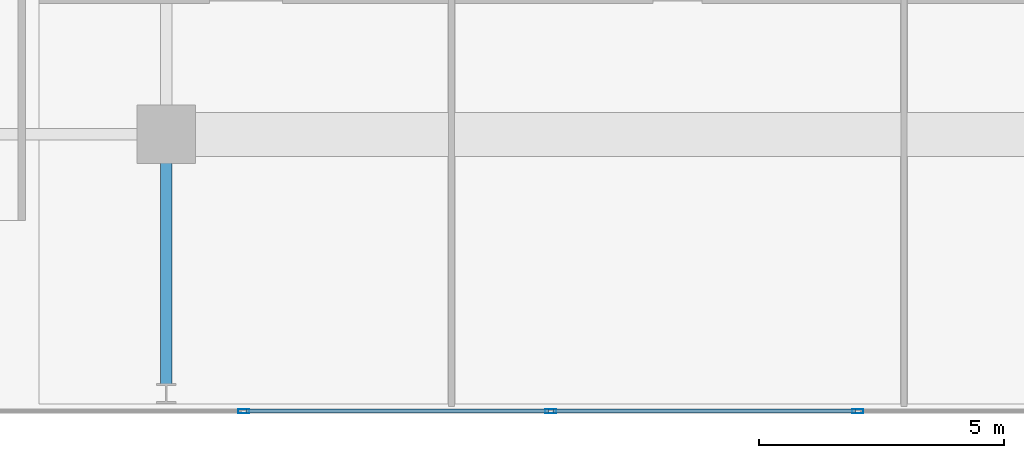
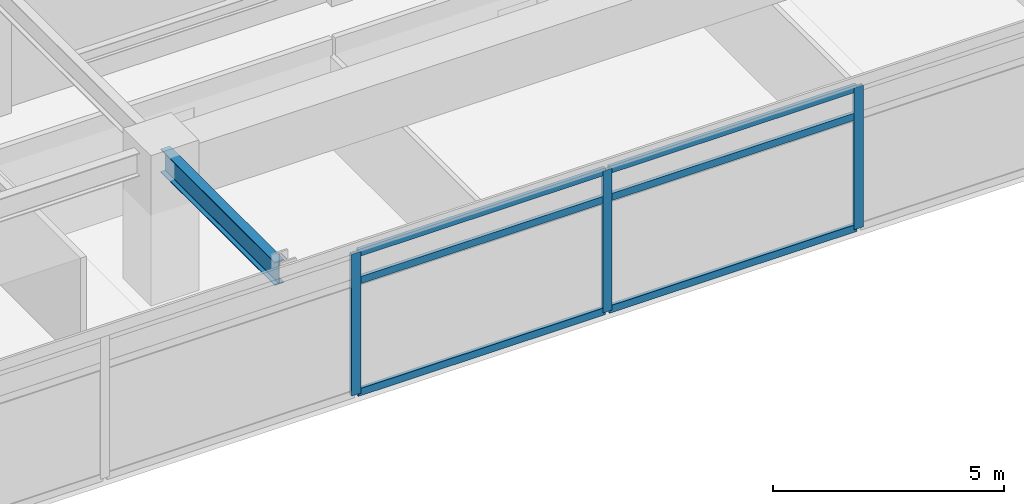
# One storey, part 4 of 21: 9 members, 1 beam, 1 element without a shape of its own.
"""IFC4 building model written with IfcOpenShell, lengths in metres."""

import ifcopenshell
import ifcopenshell.guid

model = None  # the IFC model being written
_history = None  # IfcOwnerHistory: only IFC2X3 demands one
_inside = {}  # id of a spatial element -> (the spatial element, [elements in it])
_under = {}  # id of a project, library or spatial element -> (it, [spatial elements below it])
_declared = {}  # id of a project -> (the project, [libraries it declares])
_typed = {}  # id of a type object -> (the type object, [elements of that type])
_made_of = {}  # id of a material, layer set ... -> (it, [elements and type objects made of it])


def new_model(schema):
    """Start an empty IFC model of exactly this schema.

    Asked for "IFC4X3", IfcOpenShell would pick the latest addendum, in which some entities
    have other attributes; the version numbers below select the first issue.
    IFC2X3 requires an IfcOwnerHistory on every rooted entity: one is made here for all.
    """
    global model, _history
    if schema == "IFC4X3":
        model = ifcopenshell.file(schema_version=(4, 3, 0, 0))
    else:
        model = ifcopenshell.file(schema=schema)
    _inside.clear()
    _under.clear()
    _declared.clear()
    _typed.clear()
    _made_of.clear()
    _history = None
    if model.schema == "IFC2X3":
        org = make("IfcOrganization", Name="unknown")
        user = make(
            "IfcPersonAndOrganization",
            ThePerson=make("IfcPerson", FamilyName="unknown"),
            TheOrganization=org,
        )
        app = make(
            "IfcApplication",
            ApplicationDeveloper=org,
            Version="unknown",
            ApplicationFullName="unknown",
            ApplicationIdentifier="unknown",
        )
        _history = make(
            "IfcOwnerHistory",
            OwningUser=user,
            OwningApplication=app,
            ChangeAction="ADDED",
            CreationDate=0,
        )
    return model


def make(cls, **values):
    """One entity of the class cls with the attributes given. An attribute that is None is left unset."""
    return model.create_entity(
        cls, **{name: value for name, value in values.items() if value is not None}
    )


def rooted(cls, **values):
    """An entity with a GlobalId (a new one), such as an element, a storey or a relation."""
    return make(cls, GlobalId=ifcopenshell.guid.new(), OwnerHistory=_history, **values)


def si_unit(unit_type, name, prefix=None):
    """IfcSIUnit, for example si_unit("LENGTHUNIT", "METRE", prefix="MILLI")."""
    return make("IfcSIUnit", UnitType=unit_type, Prefix=prefix, Name=name)


def assignment(units):
    """IfcUnitAssignment: the units of a project."""
    return None if units is None else make("IfcUnitAssignment", Units=units)


def point(xyz):
    """IfcCartesianPoint."""
    return None if xyz is None else make("IfcCartesianPoint", Coordinates=xyz)


def direction(xyz):
    """IfcDirection."""
    return None if xyz is None else make("IfcDirection", DirectionRatios=xyz)


def frame(location, z_axis=None, x_axis=None):
    """IfcAxis2Placement3D, a coordinate frame: its origin and axes. An axis left out is left unset."""
    return make(
        "IfcAxis2Placement3D",
        Location=point(location),
        Axis=direction(z_axis),
        RefDirection=direction(x_axis),
    )


def frame_2d(location, x_axis=None):
    """IfcAxis2Placement2D, a coordinate frame in the plane: its origin and x axis."""
    return make(
        "IfcAxis2Placement2D", Location=point(location), RefDirection=direction(x_axis)
    )


def origin():
    """The frame at (0, 0, 0) with its axes left unset."""
    return frame((0.0, 0.0, 0.0))


def origin_2d():
    """The frame at (0, 0) in the plane with its x axis left unset."""
    return frame_2d((0.0, 0.0))


def place(relative_to, where):
    """IfcLocalPlacement: puts the frame where relative to a parent placement (None: the world)."""
    return make(
        "IfcLocalPlacement", PlacementRelTo=relative_to, RelativePlacement=where
    )


def context(
    kind, dimensions, precision=None, world=None, true_north=None, identifier=None
):
    """IfcGeometricRepresentationContext, for example the 3D "Model" context."""
    return make(
        "IfcGeometricRepresentationContext",
        ContextIdentifier=identifier,
        ContextType=kind,
        CoordinateSpaceDimension=dimensions,
        Precision=precision,
        WorldCoordinateSystem=world,
        TrueNorth=true_north,
    )


def subcontext(parent, identifier, kind, view, scale=None):
    """IfcGeometricRepresentationSubContext, for example "Body" below "Model"."""
    return make(
        "IfcGeometricRepresentationSubContext",
        ContextIdentifier=identifier,
        ContextType=kind,
        ParentContext=parent,
        TargetScale=scale,
        TargetView=view,
    )


def project(units=None, contexts=None):
    """IfcProject with its units and contexts."""
    return rooted(
        "IfcProject",
        Name="project",
        RepresentationContexts=contexts,
        UnitsInContext=assignment(units),
    )


def spatial(cls, under=None, at=None, **own):
    """A site, building, storey or space (cls), placed at a placement, below another one or the project."""
    s = rooted(cls, ObjectPlacement=at, **own)
    if under is not None:
        _under.setdefault(under.id(), (under, []))[1].append(s)
    return s


def profile(cls, at=None, kind="AREA", **sizes):
    """A parametric profile (cls). Its sizes go by their IFC names, for example OverallWidth=200.0."""
    return make(cls, ProfileType=kind, Position=at, **sizes)


def hollow_rectangle(**sizes):
    """IfcRectangleHollowProfileDef."""
    return profile("IfcRectangleHollowProfileDef", **sizes)


def i_section(**sizes):
    """IfcIShapeProfileDef."""
    return profile("IfcIShapeProfileDef", **sizes)


def extrude(swept, where, along, depth):
    """IfcExtrudedAreaSolid: the profile swept, set in the frame where, extruded along a direction by depth."""
    return make(
        "IfcExtrudedAreaSolid",
        SweptArea=swept,
        Position=where,
        ExtrudedDirection=direction(along),
        Depth=depth,
    )


def shape(context_of_items, identifier, shape_type, items):
    """IfcShapeRepresentation: the items that make up one representation, for example the "Body"."""
    return make(
        "IfcShapeRepresentation",
        ContextOfItems=context_of_items,
        RepresentationIdentifier=identifier,
        RepresentationType=shape_type,
        Items=items,
    )


def material(Name=None, Category=None):
    """IfcMaterial."""
    return make("IfcMaterial", Name=Name, Category=Category)


def material_profile(
    of_material, cross_section, Name=None, Category=None, Priority=None
):
    """IfcMaterialProfile: a cross section and its material."""
    return make(
        "IfcMaterialProfile",
        Name=Name,
        Material=of_material,
        Profile=cross_section,
        Priority=Priority,
        Category=Category,
    )


def profile_set(profiles, Name=None, composite=None):
    """IfcMaterialProfileSet."""
    return make(
        "IfcMaterialProfileSet",
        Name=Name,
        MaterialProfiles=profiles,
        CompositeProfile=composite,
    )


def made_of(thing, what):
    """Note that an element or type object is made of a material, layer set ...; save() writes the relation."""
    if what is not None:
        _made_of.setdefault(what.id(), (what, []))[1].append(thing)
    return thing


def type_object(cls, material=None, **own):
    """A type object (cls), such as IfcWallType, which elements share."""
    return made_of(rooted(cls, **own), material)


def element(
    cls,
    number,
    at=None,
    inside=None,
    cuts=None,
    type_object=None,
    material=None,
    context=None,
    identifier="Body",
    shape_type=None,
    held_by="IfcProductDefinitionShape",
    body=None,
    shapes=None,
    **own,
):
    """One element of the class cls, such as IfcWall. Its Tag is "e" and its number.

    at: its placement. inside: the storey or other place that contains it. cuts: it is an
    opening in that element (IfcRelVoidsElement). A single representation is given by context,
    identifier, shape_type and body (its items); several are given by shapes. held_by: the class
    of the entity that holds the representations. save() writes the other relations.
    """
    e = rooted(cls, Tag="e%d" % number, ObjectPlacement=at, **own)
    if body is not None:
        shapes = [shape(context, identifier, shape_type, body)]
    if shapes is not None:
        e.Representation = make(held_by, Representations=shapes)
    if inside is not None:
        _inside.setdefault(inside.id(), (inside, []))[1].append(e)
    if cuts is not None:
        rooted(
            "IfcRelVoidsElement", RelatingBuildingElement=cuts, RelatedOpeningElement=e
        )
    if type_object is not None:
        _typed.setdefault(type_object.id(), (type_object, []))[1].append(e)
    return made_of(e, material)


def aggregate(whole, parts):
    """IfcRelAggregates: a whole, such as a stair, and the parts it consists of."""
    return rooted("IfcRelAggregates", RelatingObject=whole, RelatedObjects=parts)


def save(model, path):
    """Write the relations noted so far, then the file.

    IfcRelAggregates (storeys below a building ...), IfcRelContainedInSpatialStructure (elements
    in a storey), IfcRelDefinesByType, IfcRelAssociatesMaterial and IfcRelDeclares: one each for
    every whole, place, type object, material and project.
    """
    for whole, parts in _under.values():
        aggregate(whole, parts)
    for where, things in _inside.values():
        rooted(
            "IfcRelContainedInSpatialStructure",
            RelatedElements=things,
            RelatingStructure=where,
        )
    for kind, things in _typed.values():
        rooted("IfcRelDefinesByType", RelatedObjects=things, RelatingType=kind)
    for what, things in _made_of.values():
        rooted("IfcRelAssociatesMaterial", RelatedObjects=things, RelatingMaterial=what)
    for by, libraries in _declared.values():
        rooted("IfcRelDeclares", RelatingContext=by, RelatedDefinitions=libraries)
    model.write(path)


model = new_model("IFC4")

# Units and contexts
model_context = context("Model", 3, precision=1e-05, world=origin(), true_north=direction((0.0, 1.0)))
body_context = subcontext(model_context, "Body", "Model", "MODEL_VIEW")
ifc_project = project(units=[si_unit("LENGTHUNIT", "METRE"), si_unit("AREAUNIT", "SQUARE_METRE"), si_unit("VOLUMEUNIT", "CUBIC_METRE"), si_unit("PLANEANGLEUNIT", "RADIAN"), si_unit("MASSUNIT", "GRAM", prefix="KILO")], contexts=[model_context])

# Site, building, storey
site_placement = place(None, origin())
site = spatial("IfcSite", under=ifc_project, at=site_placement, CompositionType="ELEMENT")
building_placement = place(site_placement, origin())
building = spatial("IfcBuilding", under=site, at=building_placement, Name="Kovane Verandah Tower", CompositionType="ELEMENT")
storey_placement = place(building_placement, frame((0.0, 0.0, 275.199951171875)))
storey = spatial("IfcBuildingStorey", under=building, at=storey_placement, Name="L64", CompositionType="ELEMENT", Elevation=275.199951171875)

# Beam
ifc_material_1 = material(Name="Steel S355", Category="steel")
ifc_material_profile_1 = material_profile(ifc_material_1, i_section(OverallWidth=0.230224609375, OverallDepth=0.6171875, WebThickness=0.01318359375, FlangeThickness=0.022216796875, FilletRadius=0.0126953125, at=origin_2d()), Name="UB610x229x140")
ifc_profile_set_1 = profile_set([ifc_material_profile_1], Name="Steel S355")
beam_type = type_object("IfcBeamType", Name="BM-UB610x140", PredefinedType="BEAM", material=ifc_profile_set_1)
beam_placement = place(storey_placement, frame((29.0, 10.6201171875, 3.451416015625), z_axis=(0.0, -1.0, 0.0), x_axis=(1.0, 0.0, 0.0)))
element("IfcBeam", 1, at=beam_placement, inside=storey, type_object=beam_type, Name="L64 Primary Tower Girder G-VS1", PredefinedType="BEAM", context=body_context, shape_type="SweptSolid", body=[
    extrude(i_section(OverallWidth=0.230224609375, OverallDepth=0.6171875, WebThickness=0.01318359375, FlangeThickness=0.022216796875, FilletRadius=0.0126953125, at=origin_2d()), origin(), (0.0, 0.0, 1.0), 4.940185546875),
])

# Curtain wall, members
ifc_material_2 = material(Name="Champagne Anodised Aluminium Frame with Low-E Clear Laminated Glass", Category="aluminium")
curtain_wall_type = type_object("IfcCurtainWallType", Name="CW-SYS-05-HIGH", PredefinedType="NOTDEFINED", material=ifc_material_2)
curtain_wall_placement = place(storey_placement, origin())
curtain_wall = element("IfcCurtainWall", 2, at=curtain_wall_placement, inside=storey, type_object=curtain_wall_type, Name="L64 S Unitised Curtain Wall", PredefinedType="NOTDEFINED")
ifc_material_3 = material(Name="Champagne Anodised Aluminium 6063-T6", Category="aluminium")
ifc_material_profile_2 = material_profile(ifc_material_3, hollow_rectangle(XDim=0.0849609375, YDim=0.22998046875, WallThickness=0.00390625, at=origin_2d()), Name="AL85x230x4")
ifc_profile_set_2 = profile_set([ifc_material_profile_2], Name="Champagne Anodised Aluminium 6063-T6")
member_type_1 = type_object("IfcMemberType", Name="CW-MUL-85x230", PredefinedType="MULLION", material=ifc_profile_set_2)
member_1_placement = place(storey_placement, frame((30.584716796875, 5.139892578125, 0.02001953125), z_axis=(0.0, 0.0, 1.0), x_axis=(0.0, -1.0, 0.0)))
member_1 = element("IfcMember", 3, at=member_1_placement, type_object=member_type_1, Name="L64 S Unitised Curtain Wall Mullion 3", PredefinedType="MULLION", context=body_context, shape_type="SweptSolid", body=[
    extrude(hollow_rectangle(XDim=0.0849609375, YDim=0.22998046875, WallThickness=0.00390625, at=origin_2d()), origin(), (0.0, 0.0, 1.0), 3.7451171875),
])
member_2_placement = place(storey_placement, frame((36.861572265625, 5.139892578125, 0.02001953125), z_axis=(0.0, 0.0, 1.0), x_axis=(0.0, -1.0, 0.0)))
member_2 = element("IfcMember", 4, at=member_2_placement, type_object=member_type_1, Name="L64 S Unitised Curtain Wall Mullion 4", PredefinedType="MULLION", context=body_context, shape_type="SweptSolid", body=[
    extrude(hollow_rectangle(XDim=0.0849609375, YDim=0.22998046875, WallThickness=0.00390625, at=origin_2d()), origin(), (0.0, 0.0, 1.0), 3.7451171875),
])
member_3_placement = place(storey_placement, frame((43.138427734375, 5.139892578125, 0.02001953125), z_axis=(0.0, 0.0, 1.0), x_axis=(0.0, -1.0, 0.0)))
member_3 = element("IfcMember", 5, at=member_3_placement, type_object=member_type_1, Name="L64 S Unitised Curtain Wall Mullion 5", PredefinedType="MULLION", context=body_context, shape_type="SweptSolid", body=[
    extrude(hollow_rectangle(XDim=0.0849609375, YDim=0.22998046875, WallThickness=0.00390625, at=origin_2d()), origin(), (0.0, 0.0, 1.0), 3.7451171875),
])
ifc_material_profile_3 = material_profile(ifc_material_3, hollow_rectangle(XDim=0.0849609375, YDim=0.18994140625, WallThickness=0.00390625, at=origin_2d()), Name="AL85x190x4")
ifc_profile_set_3 = profile_set([ifc_material_profile_3], Name="Champagne Anodised Aluminium 6063-T6")
member_type_2 = type_object("IfcMemberType", Name="CW-TRN-85x190", PredefinedType="USERDEFINED", material=ifc_profile_set_3)
member_4_placement = place(storey_placement, frame((30.634521484375, 5.139892578125, 0.050048828125), z_axis=(1.0, 0.0, 0.0), x_axis=(0.0, 1.0, 0.0)))
member_4 = element("IfcMember", 6, at=member_4_placement, type_object=member_type_2, Name="L64 S Unitised Curtain Wall Transom TB Bay 3", ObjectType="TRANSOM", PredefinedType="USERDEFINED", context=body_context, shape_type="SweptSolid", body=[
    extrude(hollow_rectangle(XDim=0.0849609375, YDim=0.18994140625, WallThickness=0.00390625, at=origin_2d()), origin(), (0.0, 0.0, 1.0), 6.177001953125),
])
member_5_placement = place(storey_placement, frame((30.634521484375, 5.139892578125, 3.005126953125), z_axis=(1.0, 0.0, 0.0), x_axis=(0.0, 1.0, 0.0)))
member_5 = element("IfcMember", 7, at=member_5_placement, type_object=member_type_2, Name="L64 S Unitised Curtain Wall Transom TM Bay 3", ObjectType="TRANSOM", PredefinedType="USERDEFINED", context=body_context, shape_type="SweptSolid", body=[
    extrude(hollow_rectangle(XDim=0.0849609375, YDim=0.18994140625, WallThickness=0.00390625, at=origin_2d()), origin(), (0.0, 0.0, 1.0), 6.177001953125),
])
member_6_placement = place(storey_placement, frame((30.634521484375, 5.139892578125, 3.735107421875), z_axis=(1.0, 0.0, 0.0), x_axis=(0.0, 1.0, 0.0)))
member_6 = element("IfcMember", 8, at=member_6_placement, type_object=member_type_2, Name="L64 S Unitised Curtain Wall Transom TT Bay 3", ObjectType="TRANSOM", PredefinedType="USERDEFINED", context=body_context, shape_type="SweptSolid", body=[
    extrude(hollow_rectangle(XDim=0.0849609375, YDim=0.18994140625, WallThickness=0.00390625, at=origin_2d()), origin(), (0.0, 0.0, 1.0), 6.177001953125),
])
member_7_placement = place(storey_placement, frame((36.91162109375, 5.139892578125, 0.050048828125), z_axis=(1.0, 0.0, 0.0), x_axis=(0.0, 1.0, 0.0)))
member_7 = element("IfcMember", 9, at=member_7_placement, type_object=member_type_2, Name="L64 S Unitised Curtain Wall Transom TB Bay 4", ObjectType="TRANSOM", PredefinedType="USERDEFINED", context=body_context, shape_type="SweptSolid", body=[
    extrude(hollow_rectangle(XDim=0.0849609375, YDim=0.18994140625, WallThickness=0.00390625, at=origin_2d()), origin(), (0.0, 0.0, 1.0), 6.1767578125),
])
member_8_placement = place(storey_placement, frame((36.91162109375, 5.139892578125, 3.005126953125), z_axis=(1.0, 0.0, 0.0), x_axis=(0.0, 1.0, 0.0)))
member_8 = element("IfcMember", 10, at=member_8_placement, type_object=member_type_2, Name="L64 S Unitised Curtain Wall Transom TM Bay 4", ObjectType="TRANSOM", PredefinedType="USERDEFINED", context=body_context, shape_type="SweptSolid", body=[
    extrude(hollow_rectangle(XDim=0.0849609375, YDim=0.18994140625, WallThickness=0.00390625, at=origin_2d()), origin(), (0.0, 0.0, 1.0), 6.1767578125),
])
member_9_placement = place(storey_placement, frame((36.91162109375, 5.139892578125, 3.735107421875), z_axis=(1.0, 0.0, 0.0), x_axis=(0.0, 1.0, 0.0)))
member_9 = element("IfcMember", 11, at=member_9_placement, type_object=member_type_2, Name="L64 S Unitised Curtain Wall Transom TT Bay 4", ObjectType="TRANSOM", PredefinedType="USERDEFINED", context=body_context, shape_type="SweptSolid", body=[
    extrude(hollow_rectangle(XDim=0.0849609375, YDim=0.18994140625, WallThickness=0.00390625, at=origin_2d()), origin(), (0.0, 0.0, 1.0), 6.1767578125),
])
aggregate(curtain_wall, [member_1, member_2, member_3, member_4, member_5, member_6, member_7, member_8, member_9])

save(model, "model.ifc")
